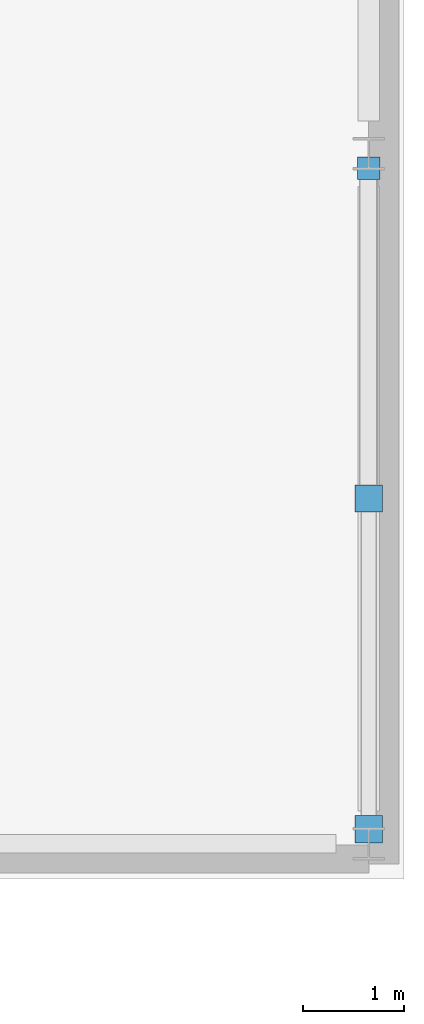
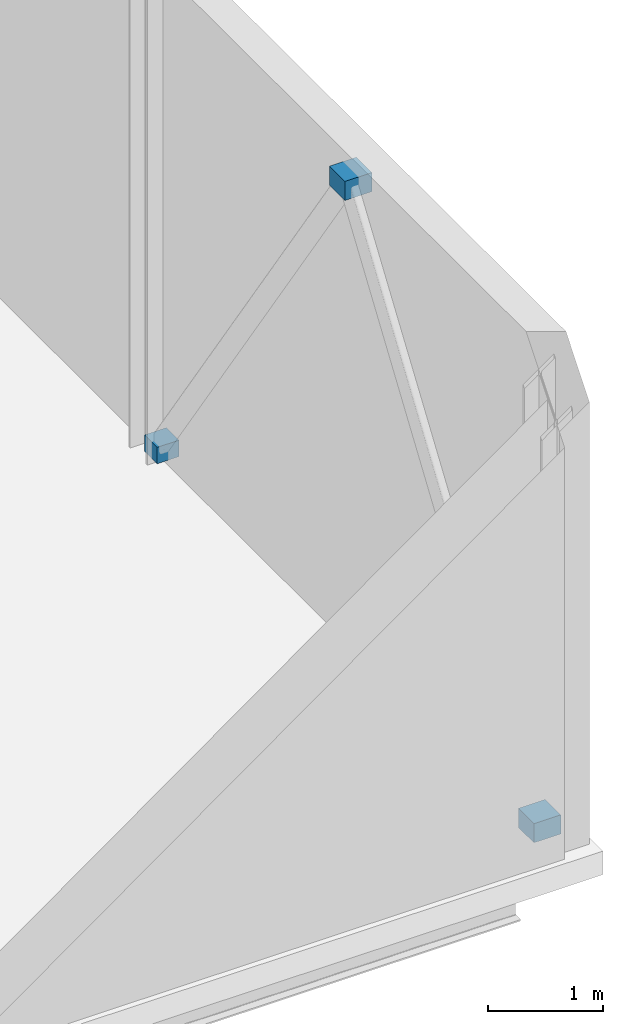
# One storey, part 62 of 83: 3 plates.
"""IFC4 building model written with IfcOpenShell, lengths in metres."""

from ifc_helpers import new_model, si_unit, direction, frame, origin, origin_2d, place, context, subcontext, project, spatial, rectangle, extrude, material, layer, layer_set, type_object, element, save


model = new_model("IFC4")

# Units and contexts
model_context = context("Model", 3, precision=1e-05, world=origin(), true_north=direction((0.0, 1.0)))
body_context = subcontext(model_context, "Body", "Model", "MODEL_VIEW")
ifc_project = project(units=[si_unit("LENGTHUNIT", "METRE"), si_unit("AREAUNIT", "SQUARE_METRE"), si_unit("VOLUMEUNIT", "CUBIC_METRE"), si_unit("PLANEANGLEUNIT", "RADIAN"), si_unit("MASSUNIT", "GRAM", prefix="KILO")], contexts=[model_context])

# Site, building, storey
site_placement = place(None, origin())
site = spatial("IfcSite", under=ifc_project, at=site_placement, CompositionType="ELEMENT")
building_placement = place(site_placement, origin())
building = spatial("IfcBuilding", under=site, at=building_placement, Name="Quillay Park Conservatory", CompositionType="ELEMENT")
storey_placement = place(building_placement, origin())
storey = spatial("IfcBuildingStorey", under=building, at=storey_placement, Name="L00", CompositionType="ELEMENT", Elevation=0.0)

# Plates
ifc_material_1 = material(Name="Steel S355J2H", Category="steel")
ifc_layer_1 = layer(ifc_material_1, 0.02001953125)
ifc_layer_set_1 = layer_set([ifc_layer_1], Name="HOLLOW END CAP PLATE 220 X140 (Steel S355J2H)")
plate_type_1 = type_object("IfcPlateType", Name="HOLLOW END CAP PLATE 220 X140", PredefinedType="USERDEFINED", material=ifc_layer_set_1)
plate_placement = place(storey_placement, frame((163.85009765625, 92.256103515625, 0.0537109375), z_axis=(0.0, 0.0, 1.0), x_axis=(1.0, 0.0, 0.0)))
element("IfcPlate", 1, at=plate_placement, inside=storey, type_object=plate_type_1, Name="Hollow steel end cap ECP-0258", ObjectType="FLANGE PLATE", PredefinedType="USERDEFINED", context=body_context, shape_type="SweptSolid", body=[
    extrude(rectangle(XDim=0.219970703125, YDim=0.219970703125, at=origin_2d()), origin(), (0.0, 0.0, 1.0), 0.174560546875),
])
ifc_material_2 = material(Name="Steel S355J2H", Category="steel")
ifc_layer_2 = layer(ifc_material_2, 0.02197265625)
ifc_layer_set_2 = layer_set([ifc_layer_2], Name="HOLLOW END CAP PLATE 270 X170 (Steel S355J2H)")
plate_type_2 = type_object("IfcPlateType", Name="HOLLOW END CAP PLATE 270 X170", PredefinedType="USERDEFINED", material=ifc_layer_set_2)
for number, where, z_axis, x_axis, name in (
    (2, (163.85009765625, 85.69384765625, 0.03955078125), (0.0, 0.0, 1.0), (1.0, 0.0, 0.0), "Hollow steel end cap ECP-0256"),
    (3, (163.85009765625, 88.976318359375, 4.85791015625), (0.0, 0.0, 1.0), (1.0, 0.0, 0.0), "Hollow steel end cap ECP-0257"),
):
    element("IfcPlate", number, at=place(storey_placement, frame(where, z_axis=z_axis, x_axis=x_axis)), inside=storey, type_object=plate_type_2, Name=name, ObjectType="FLANGE PLATE", PredefinedType="USERDEFINED", context=body_context, shape_type="SweptSolid", body=[
        extrude(rectangle(XDim=0.27001953125, YDim=0.27001953125, at=origin_2d()), origin(), (0.0, 0.0, 1.0), 0.202392578125),
    ])

save(model, "model.ifc")
